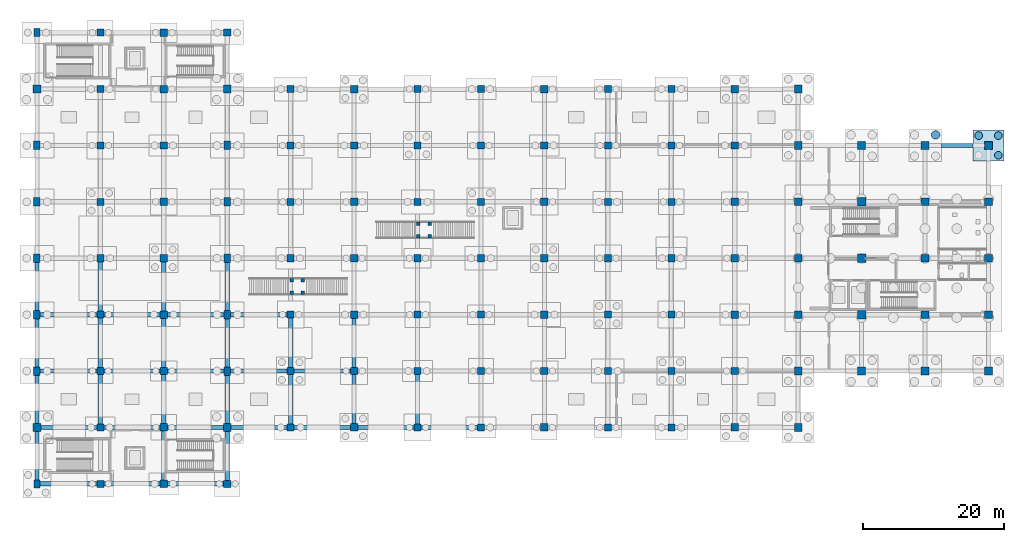
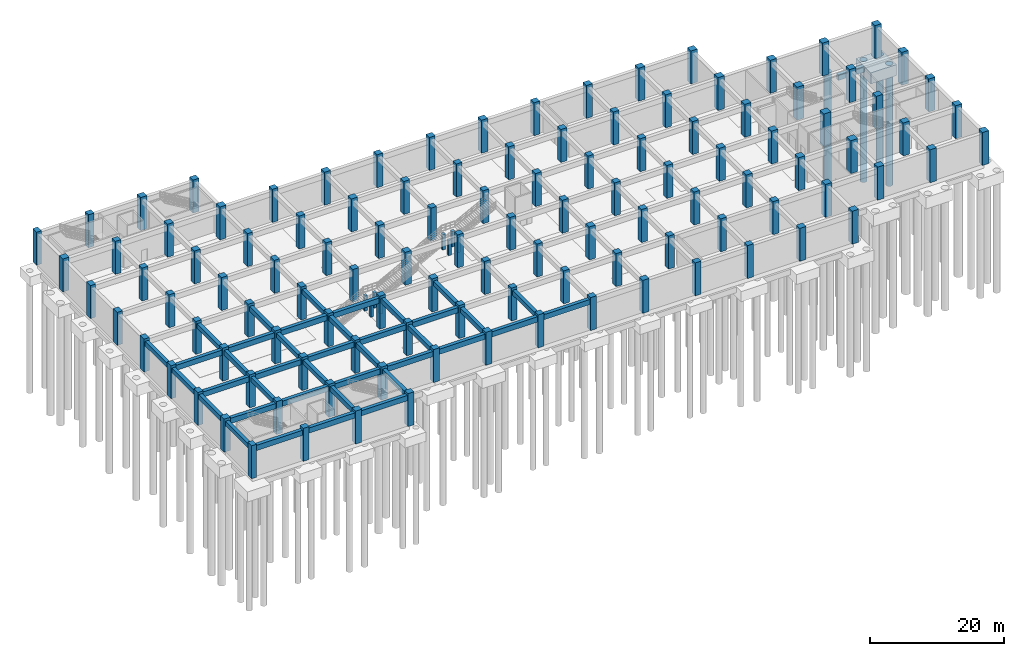
# One storey, part 6 of 18: 122 columns, 39 beams, 4 piles, 2 footings.
"""IFC4 building model written with IfcOpenShell, lengths in metres."""

from ifc_helpers import new_model, si_unit, derived_unit, direction, frame, origin, origin_2d, place, context, subcontext, project, spatial, rectangle, circle, extrude, material, material_profile, profile_set, type_object, element, save


model = new_model("IFC4")

# Units and contexts
model_context = context("Model", 3, precision=1e-05, world=origin(), true_north=direction((0.0, 1.0)))
body_context = subcontext(model_context, "Body", "Model", "MODEL_VIEW")
ifc_project = project(units=[si_unit("LENGTHUNIT", "METRE"), si_unit("AREAUNIT", "SQUARE_METRE"), si_unit("VOLUMEUNIT", "CUBIC_METRE"), si_unit("PLANEANGLEUNIT", "RADIAN"), si_unit("MASSUNIT", "GRAM", prefix="KILO"), derived_unit("THERMALTRANSMITTANCEUNIT", [(si_unit("MASSUNIT", "GRAM", prefix="KILO"), 1), (si_unit("TIMEUNIT", "SECOND"), -3), (si_unit("THERMODYNAMICTEMPERATUREUNIT", "KELVIN"), -1)])], contexts=[model_context])

# Site, building, storey
site_placement = place(None, origin())
site = spatial("IfcSite", under=ifc_project, at=site_placement, CompositionType="ELEMENT")
building_placement = place(site_placement, origin())
building = spatial("IfcBuilding", under=site, at=building_placement, Name="Zhenchuan Archway Interchange", CompositionType="ELEMENT")
storey_placement = place(building_placement, frame((0.0, 0.0, -12.0)))
storey = spatial("IfcBuildingStorey", under=building, at=storey_placement, Name="B2", CompositionType="ELEMENT", Elevation=-12.0)

# Footings
ifc_material_1 = material(Name="Concrete C40", Category="concrete")
ifc_material_profile_1 = material_profile(ifc_material_1, rectangle(XDim=0.60009765625, YDim=0.949951171875, at=origin_2d()), Name="RC 600x950")
ifc_profile_set_1 = profile_set([ifc_material_profile_1], Name="Concrete C40")
footing_type_1 = type_object("IfcFootingType", Name="FB_GROUND_2", PredefinedType="FOOTING_BEAM", material=ifc_profile_set_1)
footing_1_placement = place(storey_placement, frame((164.300048828125, 72.0, -1.47509765625), z_axis=(1.0, 0.0, 0.0), x_axis=(0.0, 1.0, 0.0)))
element("IfcFooting", 1, at=footing_1_placement, inside=storey, type_object=footing_type_1, Name="Ground tie beam K:19-20 (B2)", PredefinedType="FOOTING_BEAM", context=body_context, shape_type="SweptSolid", body=[
    extrude(rectangle(XDim=0.60009765625, YDim=0.949951171875, at=origin_2d()), origin(), (0.0, 0.0, 1.0), 4.5),
])
footing_type_2 = type_object("IfcFootingType", Name="PC_T_44x44", PredefinedType="PILE_CAP", material=ifc_material_1)
footing_2_placement = place(storey_placement, frame((171.0, 72.0, -3.0), z_axis=(0.0, 0.0, 1.0), x_axis=(1.0, 0.0, 0.0)))
element("IfcFooting", 2, at=footing_2_placement, inside=storey, type_object=footing_type_2, Name="Pile cap PC-02 at 20/K (B2)", PredefinedType="PILE_CAP", context=body_context, shape_type="SweptSolid", body=[
    extrude(rectangle(XDim=4.39990234375, YDim=4.39990234375, at=origin_2d()), origin(), (0.0, 0.0, 1.0), 2.0),
])

# Piles
ifc_material_2 = material(Name="Concrete C35", Category="concrete")
ifc_material_profile_2 = material_profile(ifc_material_2, circle(Radius=0.550048828125, at=origin_2d()), Name="BORED PILE 1100")
ifc_profile_set_2 = profile_set([ifc_material_profile_2], Name="Concrete C35")
pile_type_1 = type_object("IfcPileType", Name="PILE_D1100", PredefinedType="BORED", material=ifc_profile_set_2)
for number, where, z_axis, x_axis, name in (
    (3, (172.39990234375, 70.60009765625, -1.0), (0.0, 0.0, -1.0), (1.0, 0.0, 0.0), "Bored pile at 20/K #2 (B2)"),
    (4, (169.60009765625, 73.39990234375, -1.0), (0.0, 0.0, -1.0), (1.0, 0.0, 0.0), "Bored pile at 20/K #3 (B2)"),
    (5, (172.39990234375, 73.39990234375, -1.0), (0.0, 0.0, -1.0), (1.0, 0.0, 0.0), "Bored pile at 20/K #4 (B2)"),
):
    element("IfcPile", number, at=place(storey_placement, frame(where, z_axis=z_axis, x_axis=x_axis)), inside=storey, type_object=pile_type_1, Name=name, PredefinedType="BORED", context=body_context, shape_type="SweptSolid", body=[
        extrude(circle(Radius=0.550048828125, at=origin_2d()), origin(), (0.0, 0.0, 1.0), 22.0),
    ])
ifc_material_profile_3 = material_profile(ifc_material_2, circle(Radius=0.60009765625, at=origin_2d()), Name="BORED PILE 1200")
ifc_profile_set_3 = profile_set([ifc_material_profile_3], Name="Concrete C35")
pile_type_2 = type_object("IfcPileType", Name="PILE_D1200", PredefinedType="BORED", material=ifc_profile_set_3)
pile_placement = place(storey_placement, frame((163.5, 73.5, -1.0), z_axis=(0.0, 0.0, -1.0), x_axis=(1.0, 0.0, 0.0)))
element("IfcPile", 6, at=pile_placement, inside=storey, type_object=pile_type_2, Name="Bored pile at 19/K #4 (B2)", PredefinedType="BORED", context=body_context, shape_type="SweptSolid", body=[
    extrude(circle(Radius=0.60009765625, at=origin_2d()), origin(), (0.0, 0.0, 1.0), 22.0),
])

# Columns
ifc_material_3 = material(Name="Concrete C50", Category="concrete")
ifc_material_profile_4 = material_profile(ifc_material_3, rectangle(XDim=1.0, YDim=1.0, at=origin_2d()), Name="RC 1000x1000")
ifc_profile_set_4 = profile_set([ifc_material_profile_4], Name="Concrete C50")
column_type_1 = type_object("IfcColumnType", Name="COL_RC_1000", PredefinedType="COLUMN", material=ifc_profile_set_4)
for number, where, z_axis, x_axis, name in (
    (7, (45.0, 24.0, 0.0), (0.0, 0.0, 1.0), (1.0, 0.0, 0.0), "Column 6/D (B2)"),
    (8, (45.0, 32.0, 0.0), (0.0, 0.0, 1.0), (1.0, 0.0, 0.0), "Column 6/E (B2)"),
    (9, (45.0, 40.0, 0.0), (0.0, 0.0, 1.0), (1.0, 0.0, 0.0), "Column 6/F (B2)"),
    (10, (45.0, 48.0, 0.0), (0.0, 0.0, 1.0), (1.0, 0.0, 0.0), "Column 6/G (B2)"),
    (11, (45.0, 56.0, 0.0), (0.0, 0.0, 1.0), (1.0, 0.0, 0.0), "Column 6/H (B2)"),
    (12, (45.0, 64.0, 0.0), (0.0, 0.0, 1.0), (1.0, 0.0, 0.0), "Column 6/J (B2)"),
    (13, (45.0, 72.0, 0.0), (0.0, 0.0, 1.0), (1.0, 0.0, 0.0), "Column 6/K (B2)"),
    (14, (45.0, 80.0, 0.0), (0.0, 0.0, 1.0), (1.0, 0.0, 0.0), "Column 6/L (B2)"),
    (15, (45.0, 88.0, 0.0), (0.0, 0.0, 1.0), (1.0, 0.0, 0.0), "Column 6/M (B2)"),
    (16, (63.0, 24.0, 0.0), (0.0, 0.0, 1.0), (1.0, 0.0, 0.0), "Column 8/D (B2)"),
    (17, (63.0, 88.0, 0.0), (0.0, 0.0, 1.0), (1.0, 0.0, 0.0), "Column 8/M (B2)"),
    (18, (72.0, 32.0, 0.0), (0.0, 0.0, 1.0), (1.0, 0.0, 0.0), "Column 9/E (B2)"),
    (19, (72.0, 40.0, 0.0), (0.0, 0.0, 1.0), (1.0, 0.0, 0.0), "Column 9/F (B2)"),
    (20, (72.0, 48.0, 0.0), (0.0, 0.0, 1.0), (1.0, 0.0, 0.0), "Column 9/G (B2)"),
    (21, (72.0, 56.0, 0.0), (0.0, 0.0, 1.0), (1.0, 0.0, 0.0), "Column 9/H (B2)"),
    (22, (72.0, 64.0, 0.0), (0.0, 0.0, 1.0), (1.0, 0.0, 0.0), "Column 9/J (B2)"),
    (23, (72.0, 72.0, 0.0), (0.0, 0.0, 1.0), (1.0, 0.0, 0.0), "Column 9/K (B2)"),
    (24, (72.0, 80.0, 0.0), (0.0, 0.0, 1.0), (1.0, 0.0, 0.0), "Column 9/L (B2)"),
    (25, (90.0, 32.0, 0.0), (0.0, 0.0, 1.0), (1.0, 0.0, 0.0), "Column 11/E (B2)"),
    (26, (90.0, 40.0, 0.0), (0.0, 0.0, 1.0), (1.0, 0.0, 0.0), "Column 11/F (B2)"),
    (27, (90.0, 48.0, 0.0), (0.0, 0.0, 1.0), (1.0, 0.0, 0.0), "Column 11/G (B2)"),
    (28, (90.0, 56.0, 0.0), (0.0, 0.0, 1.0), (1.0, 0.0, 0.0), "Column 11/H (B2)"),
    (29, (90.0, 64.0, 0.0), (0.0, 0.0, 1.0), (1.0, 0.0, 0.0), "Column 11/J (B2)"),
    (30, (90.0, 72.0, 0.0), (0.0, 0.0, 1.0), (1.0, 0.0, 0.0), "Column 11/K (B2)"),
    (31, (90.0, 80.0, 0.0), (0.0, 0.0, 1.0), (1.0, 0.0, 0.0), "Column 11/L (B2)"),
    (32, (99.0, 32.0, 0.0), (0.0, 0.0, 1.0), (1.0, 0.0, 0.0), "Column 12/E (B2)"),
    (33, (99.0, 40.0, 0.0), (0.0, 0.0, 1.0), (1.0, 0.0, 0.0), "Column 12/F (B2)"),
    (34, (99.0, 48.0, 0.0), (0.0, 0.0, 1.0), (1.0, 0.0, 0.0), "Column 12/G (B2)"),
    (35, (99.0, 56.0, 0.0), (0.0, 0.0, 1.0), (1.0, 0.0, 0.0), "Column 12/H (B2)"),
    (36, (99.0, 64.0, 0.0), (0.0, 0.0, 1.0), (1.0, 0.0, 0.0), "Column 12/J (B2)"),
    (37, (99.0, 72.0, 0.0), (0.0, 0.0, 1.0), (1.0, 0.0, 0.0), "Column 12/K (B2)"),
    (38, (99.0, 80.0, 0.0), (0.0, 0.0, 1.0), (1.0, 0.0, 0.0), "Column 12/L (B2)"),
    (39, (117.0, 32.0, 0.0), (0.0, 0.0, 1.0), (1.0, 0.0, 0.0), "Column 14/E (B2)"),
    (40, (117.0, 40.0, 0.0), (0.0, 0.0, 1.0), (1.0, 0.0, 0.0), "Column 14/F (B2)"),
    (41, (117.0, 48.0, 0.0), (0.0, 0.0, 1.0), (1.0, 0.0, 0.0), "Column 14/G (B2)"),
    (42, (117.0, 56.0, 0.0), (0.0, 0.0, 1.0), (1.0, 0.0, 0.0), "Column 14/H (B2)"),
    (43, (117.0, 64.0, 0.0), (0.0, 0.0, 1.0), (1.0, 0.0, 0.0), "Column 14/J (B2)"),
    (44, (117.0, 72.0, 0.0), (0.0, 0.0, 1.0), (1.0, 0.0, 0.0), "Column 14/K (B2)"),
    (45, (117.0, 80.0, 0.0), (0.0, 0.0, 1.0), (1.0, 0.0, 0.0), "Column 14/L (B2)"),
    (46, (126.0, 32.0, 0.0), (0.0, 0.0, 1.0), (1.0, 0.0, 0.0), "Column 15/E (B2)"),
    (47, (126.0, 40.0, 0.0), (0.0, 0.0, 1.0), (1.0, 0.0, 0.0), "Column 15/F (B2)"),
    (48, (126.0, 48.0, 0.0), (0.0, 0.0, 1.0), (1.0, 0.0, 0.0), "Column 15/G (B2)"),
    (49, (126.0, 56.0, 0.0), (0.0, 0.0, 1.0), (1.0, 0.0, 0.0), "Column 15/H (B2)"),
    (50, (126.0, 64.0, 0.0), (0.0, 0.0, 1.0), (1.0, 0.0, 0.0), "Column 15/J (B2)"),
    (51, (126.0, 72.0, 0.0), (0.0, 0.0, 1.0), (1.0, 0.0, 0.0), "Column 15/K (B2)"),
    (52, (126.0, 80.0, 0.0), (0.0, 0.0, 1.0), (1.0, 0.0, 0.0), "Column 15/L (B2)"),
):
    element("IfcColumn", number, at=place(storey_placement, frame(where, z_axis=z_axis, x_axis=x_axis)), inside=storey, type_object=column_type_1, Name=name, PredefinedType="COLUMN", context=body_context, shape_type="SweptSolid", body=[
        extrude(rectangle(XDim=1.0, YDim=1.0, at=origin_2d()), origin(), (0.0, 0.0, 1.0), 6.0),
    ])
ifc_material_profile_5 = material_profile(ifc_material_3, rectangle(XDim=1.050048828125, YDim=1.050048828125, at=origin_2d()), Name="RC 1050x1050")
ifc_profile_set_5 = profile_set([ifc_material_profile_5], Name="Concrete C50")
column_type_2 = type_object("IfcColumnType", Name="COL_RC_1050", PredefinedType="COLUMN", material=ifc_profile_set_5)
for number, where, z_axis, x_axis, name in (
    (53, (54.0, 24.0, 0.0), (0.0, 0.0, 1.0), (1.0, 0.0, 0.0), "Column 7/D (B2)"),
    (54, (54.0, 32.0, 0.0), (0.0, 0.0, 1.0), (1.0, 0.0, 0.0), "Column 7/E (B2)"),
    (55, (54.0, 40.0, 0.0), (0.0, 0.0, 1.0), (1.0, 0.0, 0.0), "Column 7/F (B2)"),
    (56, (54.0, 48.0, 0.0), (0.0, 0.0, 1.0), (1.0, 0.0, 0.0), "Column 7/G (B2)"),
    (57, (54.0, 56.0, 0.0), (0.0, 0.0, 1.0), (1.0, 0.0, 0.0), "Column 7/H (B2)"),
    (58, (54.0, 64.0, 0.0), (0.0, 0.0, 1.0), (1.0, 0.0, 0.0), "Column 7/J (B2)"),
    (59, (54.0, 72.0, 0.0), (0.0, 0.0, 1.0), (1.0, 0.0, 0.0), "Column 7/K (B2)"),
    (60, (54.0, 80.0, 0.0), (0.0, 0.0, 1.0), (1.0, 0.0, 0.0), "Column 7/L (B2)"),
    (61, (54.0, 88.0, 0.0), (0.0, 0.0, 1.0), (1.0, 0.0, 0.0), "Column 7/M (B2)"),
    (62, (81.0, 32.0, 0.0), (0.0, 0.0, 1.0), (1.0, 0.0, 0.0), "Column 10/E (B2)"),
    (63, (81.0, 40.0, 0.0), (0.0, 0.0, 1.0), (1.0, 0.0, 0.0), "Column 10/F (B2)"),
    (64, (81.0, 48.0, 0.0), (0.0, 0.0, 1.0), (1.0, 0.0, 0.0), "Column 10/G (B2)"),
    (65, (81.0, 56.0, 0.0), (0.0, 0.0, 1.0), (1.0, 0.0, 0.0), "Column 10/H (B2)"),
    (66, (81.0, 64.0, 0.0), (0.0, 0.0, 1.0), (1.0, 0.0, 0.0), "Column 10/J (B2)"),
    (67, (81.0, 72.0, 0.0), (0.0, 0.0, 1.0), (1.0, 0.0, 0.0), "Column 10/K (B2)"),
    (68, (81.0, 80.0, 0.0), (0.0, 0.0, 1.0), (1.0, 0.0, 0.0), "Column 10/L (B2)"),
    (69, (108.0, 32.0, 0.0), (0.0, 0.0, 1.0), (1.0, 0.0, 0.0), "Column 13/E (B2)"),
    (70, (108.0, 40.0, 0.0), (0.0, 0.0, 1.0), (1.0, 0.0, 0.0), "Column 13/F (B2)"),
    (71, (108.0, 48.0, 0.0), (0.0, 0.0, 1.0), (1.0, 0.0, 0.0), "Column 13/G (B2)"),
    (72, (108.0, 56.0, 0.0), (0.0, 0.0, 1.0), (1.0, 0.0, 0.0), "Column 13/H (B2)"),
    (73, (108.0, 64.0, 0.0), (0.0, 0.0, 1.0), (1.0, 0.0, 0.0), "Column 13/J (B2)"),
    (74, (108.0, 72.0, 0.0), (0.0, 0.0, 1.0), (1.0, 0.0, 0.0), "Column 13/K (B2)"),
    (75, (108.0, 80.0, 0.0), (0.0, 0.0, 1.0), (1.0, 0.0, 0.0), "Column 13/L (B2)"),
    (76, (135.0, 32.0, 0.0), (0.0, 0.0, 1.0), (1.0, 0.0, 0.0), "Column 16/E (B2)"),
    (77, (135.0, 40.0, 0.0), (0.0, 0.0, 1.0), (1.0, 0.0, 0.0), "Column 16/F (B2)"),
    (78, (135.0, 48.0, 0.0), (0.0, 0.0, 1.0), (1.0, 0.0, 0.0), "Column 16/G (B2)"),
    (79, (135.0, 56.0, 0.0), (0.0, 0.0, 1.0), (1.0, 0.0, 0.0), "Column 16/H (B2)"),
    (80, (135.0, 64.0, 0.0), (0.0, 0.0, 1.0), (1.0, 0.0, 0.0), "Column 16/J (B2)"),
    (81, (135.0, 72.0, 0.0), (0.0, 0.0, 1.0), (1.0, 0.0, 0.0), "Column 16/K (B2)"),
    (82, (135.0, 80.0, 0.0), (0.0, 0.0, 1.0), (1.0, 0.0, 0.0), "Column 16/L (B2)"),
):
    element("IfcColumn", number, at=place(storey_placement, frame(where, z_axis=z_axis, x_axis=x_axis)), inside=storey, type_object=column_type_2, Name=name, PredefinedType="COLUMN", context=body_context, shape_type="SweptSolid", body=[
        extrude(rectangle(XDim=1.050048828125, YDim=1.050048828125, at=origin_2d()), origin(), (0.0, 0.0, 1.0), 6.0),
    ])
ifc_material_profile_6 = material_profile(ifc_material_3, rectangle(XDim=1.10009765625, YDim=1.10009765625, at=origin_2d()), Name="RC 1100x1100")
ifc_profile_set_6 = profile_set([ifc_material_profile_6], Name="Concrete C50")
column_type_3 = type_object("IfcColumnType", Name="COL_RC_1100", PredefinedType="COLUMN", material=ifc_profile_set_6)
for number, where, z_axis, x_axis, name in (
    (83, (36.0, 32.0, 0.0), (0.0, 0.0, 1.0), (1.0, 0.0, 0.0), "Column 5/E (B2)"),
    (84, (36.0, 80.0, 0.0), (0.0, 0.0, 1.0), (1.0, 0.0, 0.0), "Column 5/L (B2)"),
    (85, (63.0, 32.0, 0.0), (0.0, 0.0, 1.0), (1.0, 0.0, 0.0), "Column 8/E (B2)"),
    (86, (63.0, 80.0, 0.0), (0.0, 0.0, 1.0), (1.0, 0.0, 0.0), "Column 8/L (B2)"),
    (87, (144.0, 32.0, 0.0), (0.0, 0.0, 1.0), (1.0, 0.0, 0.0), "Column 17/E (B2)"),
    (88, (144.0, 40.0, 0.0), (0.0, 0.0, 1.0), (1.0, 0.0, 0.0), "Column 17/F (B2)"),
    (89, (144.0, 48.0, 0.0), (0.0, 0.0, 1.0), (1.0, 0.0, 0.0), "Column 17/G (B2)"),
    (90, (144.0, 56.0, 0.0), (0.0, 0.0, 1.0), (1.0, 0.0, 0.0), "Column 17/H (B2)"),
    (91, (144.0, 64.0, 0.0), (0.0, 0.0, 1.0), (1.0, 0.0, 0.0), "Column 17/J (B2)"),
    (92, (144.0, 72.0, 0.0), (0.0, 0.0, 1.0), (1.0, 0.0, 0.0), "Column 17/K (B2)"),
    (93, (144.0, 80.0, 0.0), (0.0, 0.0, 1.0), (1.0, 0.0, 0.0), "Column 17/L (B2)"),
    (94, (153.0, 40.0, 0.0), (0.0, 0.0, 1.0), (1.0, 0.0, 0.0), "Column 18/F (B2)"),
    (95, (153.0, 72.0, 0.0), (0.0, 0.0, 1.0), (1.0, 0.0, 0.0), "Column 18/K (B2)"),
    (96, (162.0, 40.0, 0.0), (0.0, 0.0, 1.0), (1.0, 0.0, 0.0), "Column 19/F (B2)"),
    (97, (162.0, 48.0, 0.0), (0.0, 0.0, 1.0), (1.0, 0.0, 0.0), "Column 19/G (B2)"),
    (98, (162.0, 56.0, 0.0), (0.0, 0.0, 1.0), (1.0, 0.0, 0.0), "Column 19/H (B2)"),
    (99, (162.0, 64.0, 0.0), (0.0, 0.0, 1.0), (1.0, 0.0, 0.0), "Column 19/J (B2)"),
    (100, (162.0, 72.0, 0.0), (0.0, 0.0, 1.0), (1.0, 0.0, 0.0), "Column 19/K (B2)"),
    (101, (171.0, 40.0, 0.0), (0.0, 0.0, 1.0), (1.0, 0.0, 0.0), "Column 20/F (B2)"),
    (102, (171.0, 48.0, 0.0), (0.0, 0.0, 1.0), (1.0, 0.0, 0.0), "Column 20/G (B2)"),
    (103, (171.0, 56.0, 0.0), (0.0, 0.0, 1.0), (1.0, 0.0, 0.0), "Column 20/H (B2)"),
    (104, (171.0, 64.0, 0.0), (0.0, 0.0, 1.0), (1.0, 0.0, 0.0), "Column 20/J (B2)"),
    (105, (171.0, 72.0, 0.0), (0.0, 0.0, 1.0), (1.0, 0.0, 0.0), "Column 20/K (B2)"),
):
    element("IfcColumn", number, at=place(storey_placement, frame(where, z_axis=z_axis, x_axis=x_axis)), inside=storey, type_object=column_type_3, Name=name, PredefinedType="COLUMN", context=body_context, shape_type="SweptSolid", body=[
        extrude(rectangle(XDim=1.10009765625, YDim=1.10009765625, at=origin_2d()), origin(), (0.0, 0.0, 1.0), 6.0),
    ])
ifc_material_profile_7 = material_profile(ifc_material_3, rectangle(XDim=1.199951171875, YDim=1.199951171875, at=origin_2d()), Name="RC 1200x1200")
ifc_profile_set_7 = profile_set([ifc_material_profile_7], Name="Concrete C50")
column_type_4 = type_object("IfcColumnType", Name="COL_RC_1200", PredefinedType="COLUMN", material=ifc_profile_set_7)
for number, where, z_axis, x_axis, name in (
    (106, (153.0, 48.0, 0.0), (0.0, 0.0, 1.0), (1.0, 0.0, 0.0), "Column 18/G (B2)"),
    (107, (153.0, 56.0, 0.0), (0.0, 0.0, 1.0), (1.0, 0.0, 0.0), "Column 18/H (B2)"),
    (108, (153.0, 64.0, 0.0), (0.0, 0.0, 1.0), (1.0, 0.0, 0.0), "Column 18/J (B2)"),
):
    element("IfcColumn", number, at=place(storey_placement, frame(where, z_axis=z_axis, x_axis=x_axis)), inside=storey, type_object=column_type_4, Name=name, PredefinedType="COLUMN", context=body_context, shape_type="SweptSolid", body=[
        extrude(rectangle(XDim=1.199951171875, YDim=1.199951171875, at=origin_2d()), origin(), (0.0, 0.0, 1.0), 6.0),
    ])
ifc_material_profile_8 = material_profile(ifc_material_1, rectangle(XDim=0.5, YDim=0.5, at=origin_2d()), Name="RC 500x500")
ifc_profile_set_8 = profile_set([ifc_material_profile_8], Name="Concrete C40")
column_type_5 = type_object("IfcColumnType", Name="COL_RC_500_LND", PredefinedType="COLUMN", material=ifc_profile_set_8)
for number, where, z_axis, x_axis, name in (
    (109, (72.1298828125, 51.10009765625, 0.0), (0.0, 0.0, 1.0), (1.0, 0.0, 0.0), "Stair ST-P1 landing support column 1"),
    (110, (73.72998046875, 51.10009765625, 0.0), (0.0, 0.0, 1.0), (1.0, 0.0, 0.0), "Stair ST-P1 landing support column 2"),
    (111, (72.1298828125, 52.89990234375, 0.0), (0.0, 0.0, 1.0), (1.0, 0.0, 0.0), "Stair ST-P1 landing support column 3"),
    (112, (73.72998046875, 52.89990234375, 0.0), (0.0, 0.0, 1.0), (1.0, 0.0, 0.0), "Stair ST-P1 landing support column 4"),
    (113, (90.1298828125, 59.125, 0.0), (0.0, 0.0, 1.0), (1.0, 0.0, 0.0), "Stair ST-P2 landing support column 1"),
    (114, (91.72998046875, 59.125, 0.0), (0.0, 0.0, 1.0), (1.0, 0.0, 0.0), "Stair ST-P2 landing support column 2"),
    (115, (90.1298828125, 60.875, 0.0), (0.0, 0.0, 1.0), (1.0, 0.0, 0.0), "Stair ST-P2 landing support column 3"),
    (116, (91.72998046875, 60.875, 0.0), (0.0, 0.0, 1.0), (1.0, 0.0, 0.0), "Stair ST-P2 landing support column 4"),
):
    element("IfcColumn", number, at=place(storey_placement, frame(where, z_axis=z_axis, x_axis=x_axis)), inside=storey, type_object=column_type_5, Name=name, PredefinedType="COLUMN", context=body_context, shape_type="SweptSolid", body=[
        extrude(rectangle(XDim=0.5, YDim=0.5, at=origin_2d()), origin(), (0.0, 0.0, 1.0), 2.780029296875),
    ])
ifc_material_profile_9 = material_profile(ifc_material_3, rectangle(XDim=0.85009765625, YDim=1.14990234375, at=origin_2d()), Name="RC 850x1150")
ifc_profile_set_9 = profile_set([ifc_material_profile_9], Name="Concrete C50")
column_type_6 = type_object("IfcColumnType", Name="COL_RC_850x1150", PredefinedType="COLUMN", material=ifc_profile_set_9)
for number, where, z_axis, x_axis, name in (
    (117, (36.0, 24.0, 0.0), (0.0, 0.0, 1.0), (1.0, 0.0, 0.0), "Column 5/D (B2)"),
    (118, (36.0, 88.0, 0.0), (0.0, 0.0, 1.0), (1.0, 0.0, 0.0), "Column 5/M (B2)"),
):
    element("IfcColumn", number, at=place(storey_placement, frame(where, z_axis=z_axis, x_axis=x_axis)), inside=storey, type_object=column_type_6, Name=name, PredefinedType="COLUMN", context=body_context, shape_type="SweptSolid", body=[
        extrude(rectangle(XDim=0.85009765625, YDim=1.14990234375, at=origin_2d()), origin(), (0.0, 0.0, 1.0), 6.0),
    ])
ifc_material_profile_10 = material_profile(ifc_material_3, rectangle(XDim=0.89990234375, YDim=1.199951171875, at=origin_2d()), Name="RC 900x1200")
ifc_profile_set_10 = profile_set([ifc_material_profile_10], Name="Concrete C50")
column_type_7 = type_object("IfcColumnType", Name="COL_RC_900x1200", PredefinedType="COLUMN", material=ifc_profile_set_10)
for number, where, z_axis, x_axis, name in (
    (119, (36.0, 40.0, 0.0), (0.0, 0.0, 1.0), (1.0, 0.0, 0.0), "Column 5/F (B2)"),
    (120, (36.0, 48.0, 0.0), (0.0, 0.0, 1.0), (1.0, 0.0, 0.0), "Column 5/G (B2)"),
    (121, (36.0, 56.0, 0.0), (0.0, 0.0, 1.0), (1.0, 0.0, 0.0), "Column 5/H (B2)"),
    (122, (36.0, 64.0, 0.0), (0.0, 0.0, 1.0), (1.0, 0.0, 0.0), "Column 5/J (B2)"),
    (123, (36.0, 72.0, 0.0), (0.0, 0.0, 1.0), (1.0, 0.0, 0.0), "Column 5/K (B2)"),
    (124, (63.0, 40.0, 0.0), (0.0, 0.0, 1.0), (1.0, 0.0, 0.0), "Column 8/F (B2)"),
    (125, (63.0, 48.0, 0.0), (0.0, 0.0, 1.0), (1.0, 0.0, 0.0), "Column 8/G (B2)"),
    (126, (63.0, 56.0, 0.0), (0.0, 0.0, 1.0), (1.0, 0.0, 0.0), "Column 8/H (B2)"),
    (127, (63.0, 64.0, 0.0), (0.0, 0.0, 1.0), (1.0, 0.0, 0.0), "Column 8/J (B2)"),
    (128, (63.0, 72.0, 0.0), (0.0, 0.0, 1.0), (1.0, 0.0, 0.0), "Column 8/K (B2)"),
):
    element("IfcColumn", number, at=place(storey_placement, frame(where, z_axis=z_axis, x_axis=x_axis)), inside=storey, type_object=column_type_7, Name=name, PredefinedType="COLUMN", context=body_context, shape_type="SweptSolid", body=[
        extrude(rectangle(XDim=0.89990234375, YDim=1.199951171875, at=origin_2d()), origin(), (0.0, 0.0, 1.0), 6.0),
    ])

# Beams
ifc_material_profile_11 = material_profile(ifc_material_1, rectangle(XDim=0.60009765625, YDim=0.85009765625, at=origin_2d()), Name="RC 600x850")
ifc_profile_set_11 = profile_set([ifc_material_profile_11], Name="Concrete C40")
beam_type_1 = type_object("IfcBeamType", Name="BM_RC_600x850", PredefinedType="BEAM", material=ifc_profile_set_11)
beam_1_placement = place(storey_placement, frame((36.0, 24.574951171875, 5.135009765625), z_axis=(0.0, 1.0, 0.0), x_axis=(-1.0, 0.0, 0.0)))
element("IfcBeam", 129, at=beam_1_placement, inside=storey, type_object=beam_type_1, Name="Beam 5:D-E (B2)", PredefinedType="BEAM", context=body_context, shape_type="SweptSolid", body=[
    extrude(rectangle(XDim=0.60009765625, YDim=0.85009765625, at=origin_2d()), origin(), (0.0, 0.0, 1.0), 6.875),
])
beam_2_placement = place(storey_placement, frame((36.0, 32.550048828125, 5.135009765625), z_axis=(0.0, 1.0, 0.0), x_axis=(-1.0, 0.0, 0.0)))
element("IfcBeam", 130, at=beam_2_placement, inside=storey, type_object=beam_type_1, Name="Beam 5:E-F (B2)", PredefinedType="BEAM", context=body_context, shape_type="SweptSolid", body=[
    extrude(rectangle(XDim=0.60009765625, YDim=0.85009765625, at=origin_2d()), origin(), (0.0, 0.0, 1.0), 6.849853515625),
])
for number, where, z_axis, x_axis, name in (
    (131, (36.0, 40.60009765625, 5.135009765625), (0.0, 1.0, 0.0), (-1.0, 0.0, 0.0), "Beam 5:F-G (B2)"),
    (132, (36.0, 48.60009765625, 5.135009765625), (0.0, 1.0, 0.0), (-1.0, 0.0, 0.0), "Beam 5:G-H (B2)"),
):
    element("IfcBeam", number, at=place(storey_placement, frame(where, z_axis=z_axis, x_axis=x_axis)), inside=storey, type_object=beam_type_1, Name=name, PredefinedType="BEAM", context=body_context, shape_type="SweptSolid", body=[
        extrude(rectangle(XDim=0.60009765625, YDim=0.85009765625, at=origin_2d()), origin(), (0.0, 0.0, 1.0), 6.7998046875),
    ])
for number, where, z_axis, x_axis, name in (
    (133, (45.0, 32.5, 5.135009765625), (0.0, 1.0, 0.0), (-1.0, 0.0, 0.0), "Beam 6:E-F (B2)"),
    (134, (45.0, 40.5, 5.135009765625), (0.0, 1.0, 0.0), (-1.0, 0.0, 0.0), "Beam 6:F-G (B2)"),
    (135, (45.0, 48.5, 5.135009765625), (0.0, 1.0, 0.0), (-1.0, 0.0, 0.0), "Beam 6:G-H (B2)"),
):
    element("IfcBeam", number, at=place(storey_placement, frame(where, z_axis=z_axis, x_axis=x_axis)), inside=storey, type_object=beam_type_1, Name=name, PredefinedType="BEAM", context=body_context, shape_type="SweptSolid", body=[
        extrude(rectangle(XDim=0.60009765625, YDim=0.85009765625, at=origin_2d()), origin(), (0.0, 0.0, 1.0), 7.0),
    ])
for number, where, z_axis, x_axis, name in (
    (136, (54.0, 24.52490234375, 5.135009765625), (0.0, 1.0, 0.0), (-1.0, 0.0, 0.0), "Beam 7:D-E (B2)"),
    (137, (54.0, 32.52490234375, 5.135009765625), (0.0, 1.0, 0.0), (-1.0, 0.0, 0.0), "Beam 7:E-F (B2)"),
    (138, (54.0, 40.52490234375, 5.135009765625), (0.0, 1.0, 0.0), (-1.0, 0.0, 0.0), "Beam 7:F-G (B2)"),
    (139, (54.0, 48.52490234375, 5.135009765625), (0.0, 1.0, 0.0), (-1.0, 0.0, 0.0), "Beam 7:G-H (B2)"),
):
    element("IfcBeam", number, at=place(storey_placement, frame(where, z_axis=z_axis, x_axis=x_axis)), inside=storey, type_object=beam_type_1, Name=name, PredefinedType="BEAM", context=body_context, shape_type="SweptSolid", body=[
        extrude(rectangle(XDim=0.60009765625, YDim=0.85009765625, at=origin_2d()), origin(), (0.0, 0.0, 1.0), 6.9501953125),
    ])
beam_3_placement = place(storey_placement, frame((63.0, 24.5, 5.135009765625), z_axis=(0.0, 1.0, 0.0), x_axis=(-1.0, 0.0, 0.0)))
element("IfcBeam", 140, at=beam_3_placement, inside=storey, type_object=beam_type_1, Name="Beam 8:D-E (B2)", PredefinedType="BEAM", context=body_context, shape_type="SweptSolid", body=[
    extrude(rectangle(XDim=0.60009765625, YDim=0.85009765625, at=origin_2d()), origin(), (0.0, 0.0, 1.0), 6.949951171875),
])
beam_4_placement = place(storey_placement, frame((63.0, 32.550048828125, 5.135009765625), z_axis=(0.0, 1.0, 0.0), x_axis=(-1.0, 0.0, 0.0)))
element("IfcBeam", 141, at=beam_4_placement, inside=storey, type_object=beam_type_1, Name="Beam 8:E-F (B2)", PredefinedType="BEAM", context=body_context, shape_type="SweptSolid", body=[
    extrude(rectangle(XDim=0.60009765625, YDim=0.85009765625, at=origin_2d()), origin(), (0.0, 0.0, 1.0), 6.849853515625),
])
for number, where, z_axis, x_axis, name in (
    (142, (63.0, 40.60009765625, 5.135009765625), (0.0, 1.0, 0.0), (-1.0, 0.0, 0.0), "Beam 8:F-G (B2)"),
    (143, (63.0, 48.60009765625, 5.135009765625), (0.0, 1.0, 0.0), (-1.0, 0.0, 0.0), "Beam 8:G-H (B2)"),
):
    element("IfcBeam", number, at=place(storey_placement, frame(where, z_axis=z_axis, x_axis=x_axis)), inside=storey, type_object=beam_type_1, Name=name, PredefinedType="BEAM", context=body_context, shape_type="SweptSolid", body=[
        extrude(rectangle(XDim=0.60009765625, YDim=0.85009765625, at=origin_2d()), origin(), (0.0, 0.0, 1.0), 6.7998046875),
    ])
for number, where, z_axis, x_axis, name in (
    (144, (72.0, 32.5, 5.135009765625), (0.0, 1.0, 0.0), (-1.0, 0.0, 0.0), "Beam 9:E-F (B2)"),
    (145, (72.0, 40.5, 5.135009765625), (0.0, 1.0, 0.0), (-1.0, 0.0, 0.0), "Beam 9:F-G (B2)"),
):
    element("IfcBeam", number, at=place(storey_placement, frame(where, z_axis=z_axis, x_axis=x_axis)), inside=storey, type_object=beam_type_1, Name=name, PredefinedType="BEAM", context=body_context, shape_type="SweptSolid", body=[
        extrude(rectangle(XDim=0.60009765625, YDim=0.85009765625, at=origin_2d()), origin(), (0.0, 0.0, 1.0), 7.0),
    ])
for number, where, z_axis, x_axis, name in (
    (146, (81.0, 32.52490234375, 5.135009765625), (0.0, 1.0, 0.0), (-1.0, 0.0, 0.0), "Beam 10:E-F (B2)"),
    (147, (81.0, 40.52490234375, 5.135009765625), (0.0, 1.0, 0.0), (-1.0, 0.0, 0.0), "Beam 10:F-G (B2)"),
):
    element("IfcBeam", number, at=place(storey_placement, frame(where, z_axis=z_axis, x_axis=x_axis)), inside=storey, type_object=beam_type_1, Name=name, PredefinedType="BEAM", context=body_context, shape_type="SweptSolid", body=[
        extrude(rectangle(XDim=0.60009765625, YDim=0.85009765625, at=origin_2d()), origin(), (0.0, 0.0, 1.0), 6.9501953125),
    ])
beam_5_placement = place(storey_placement, frame((90.0, 32.5, 5.135009765625), z_axis=(0.0, 1.0, 0.0), x_axis=(-1.0, 0.0, 0.0)))
element("IfcBeam", 148, at=beam_5_placement, inside=storey, type_object=beam_type_1, Name="Beam 11:E-F (B2)", PredefinedType="BEAM", context=body_context, shape_type="SweptSolid", body=[
    extrude(rectangle(XDim=0.60009765625, YDim=0.85009765625, at=origin_2d()), origin(), (0.0, 0.0, 1.0), 7.0),
])
ifc_material_profile_12 = material_profile(ifc_material_1, rectangle(XDim=0.60009765625, YDim=0.949951171875, at=origin_2d()), Name="RC 600x950")
ifc_profile_set_12 = profile_set([ifc_material_profile_12], Name="Concrete C40")
beam_type_2 = type_object("IfcBeamType", Name="BM_RC_600x950", PredefinedType="BEAM", material=ifc_profile_set_12)
beam_6_placement = place(storey_placement, frame((36.425048828125, 24.0, 5.0849609375), z_axis=(1.0, 0.0, 0.0), x_axis=(0.0, 1.0, 0.0)))
element("IfcBeam", 149, at=beam_6_placement, inside=storey, type_object=beam_type_2, Name="Beam D:5-6 (B2)", PredefinedType="BEAM", context=body_context, shape_type="SweptSolid", body=[
    extrude(rectangle(XDim=0.60009765625, YDim=0.949951171875, at=origin_2d()), origin(), (0.0, 0.0, 1.0), 8.074951171875),
])
for number, where, z_axis, x_axis, name in (
    (150, (45.5, 24.0, 5.0849609375), (1.0, 0.0, 0.0), (0.0, 1.0, 0.0), "Beam D:6-7 (B2)"),
    (151, (54.52490234375, 24.0, 5.0849609375), (1.0, 0.0, 0.0), (0.0, 1.0, 0.0), "Beam D:7-8 (B2)"),
):
    element("IfcBeam", number, at=place(storey_placement, frame(where, z_axis=z_axis, x_axis=x_axis)), inside=storey, type_object=beam_type_2, Name=name, PredefinedType="BEAM", context=body_context, shape_type="SweptSolid", body=[
        extrude(rectangle(XDim=0.60009765625, YDim=0.949951171875, at=origin_2d()), origin(), (0.0, 0.0, 1.0), 7.97509765625),
    ])
beam_7_placement = place(storey_placement, frame((36.550048828125, 32.0, 5.0849609375), z_axis=(1.0, 0.0, 0.0), x_axis=(0.0, 1.0, 0.0)))
element("IfcBeam", 152, at=beam_7_placement, inside=storey, type_object=beam_type_2, Name="Beam E:5-6 (B2)", PredefinedType="BEAM", context=body_context, shape_type="SweptSolid", body=[
    extrude(rectangle(XDim=0.60009765625, YDim=0.949951171875, at=origin_2d()), origin(), (0.0, 0.0, 1.0), 7.949951171875),
])
beam_8_placement = place(storey_placement, frame((45.5, 32.0, 5.0849609375), z_axis=(1.0, 0.0, 0.0), x_axis=(0.0, 1.0, 0.0)))
element("IfcBeam", 153, at=beam_8_placement, inside=storey, type_object=beam_type_2, Name="Beam E:6-7 (B2)", PredefinedType="BEAM", context=body_context, shape_type="SweptSolid", body=[
    extrude(rectangle(XDim=0.60009765625, YDim=0.949951171875, at=origin_2d()), origin(), (0.0, 0.0, 1.0), 7.97509765625),
])
beam_9_placement = place(storey_placement, frame((54.52490234375, 32.0, 5.0849609375), z_axis=(1.0, 0.0, 0.0), x_axis=(0.0, 1.0, 0.0)))
element("IfcBeam", 154, at=beam_9_placement, inside=storey, type_object=beam_type_2, Name="Beam E:7-8 (B2)", PredefinedType="BEAM", context=body_context, shape_type="SweptSolid", body=[
    extrude(rectangle(XDim=0.60009765625, YDim=0.949951171875, at=origin_2d()), origin(), (0.0, 0.0, 1.0), 7.925048828125),
])
beam_10_placement = place(storey_placement, frame((63.550048828125, 32.0, 5.0849609375), z_axis=(1.0, 0.0, 0.0), x_axis=(0.0, 1.0, 0.0)))
element("IfcBeam", 155, at=beam_10_placement, inside=storey, type_object=beam_type_2, Name="Beam E:8-9 (B2)", PredefinedType="BEAM", context=body_context, shape_type="SweptSolid", body=[
    extrude(rectangle(XDim=0.60009765625, YDim=0.949951171875, at=origin_2d()), origin(), (0.0, 0.0, 1.0), 7.949951171875),
])
for number, where, z_axis, x_axis, name in (
    (156, (72.5, 32.0, 5.0849609375), (1.0, 0.0, 0.0), (0.0, 1.0, 0.0), "Beam E:9-10 (B2)"),
    (157, (81.52490234375, 32.0, 5.0849609375), (1.0, 0.0, 0.0), (0.0, 1.0, 0.0), "Beam E:10-11 (B2)"),
):
    element("IfcBeam", number, at=place(storey_placement, frame(where, z_axis=z_axis, x_axis=x_axis)), inside=storey, type_object=beam_type_2, Name=name, PredefinedType="BEAM", context=body_context, shape_type="SweptSolid", body=[
        extrude(rectangle(XDim=0.60009765625, YDim=0.949951171875, at=origin_2d()), origin(), (0.0, 0.0, 1.0), 7.97509765625),
    ])
beam_11_placement = place(storey_placement, frame((90.5, 32.0, 5.0849609375), z_axis=(1.0, 0.0, 0.0), x_axis=(0.0, 1.0, 0.0)))
element("IfcBeam", 158, at=beam_11_placement, inside=storey, type_object=beam_type_2, Name="Beam E:11-12 (B2)", PredefinedType="BEAM", context=body_context, shape_type="SweptSolid", body=[
    extrude(rectangle(XDim=0.60009765625, YDim=0.949951171875, at=origin_2d()), origin(), (0.0, 0.0, 1.0), 8.0),
])
beam_12_placement = place(storey_placement, frame((36.449951171875, 40.0, 5.0849609375), z_axis=(1.0, 0.0, 0.0), x_axis=(0.0, 1.0, 0.0)))
element("IfcBeam", 159, at=beam_12_placement, inside=storey, type_object=beam_type_2, Name="Beam F:5-6 (B2)", PredefinedType="BEAM", context=body_context, shape_type="SweptSolid", body=[
    extrude(rectangle(XDim=0.60009765625, YDim=0.949951171875, at=origin_2d()), origin(), (0.0, 0.0, 1.0), 8.050048828125),
])
beam_13_placement = place(storey_placement, frame((45.5, 40.0, 5.0849609375), z_axis=(1.0, 0.0, 0.0), x_axis=(0.0, 1.0, 0.0)))
element("IfcBeam", 160, at=beam_13_placement, inside=storey, type_object=beam_type_2, Name="Beam F:6-7 (B2)", PredefinedType="BEAM", context=body_context, shape_type="SweptSolid", body=[
    extrude(rectangle(XDim=0.60009765625, YDim=0.949951171875, at=origin_2d()), origin(), (0.0, 0.0, 1.0), 7.97509765625),
])
beam_14_placement = place(storey_placement, frame((54.52490234375, 40.0, 5.0849609375), z_axis=(1.0, 0.0, 0.0), x_axis=(0.0, 1.0, 0.0)))
element("IfcBeam", 161, at=beam_14_placement, inside=storey, type_object=beam_type_2, Name="Beam F:7-8 (B2)", PredefinedType="BEAM", context=body_context, shape_type="SweptSolid", body=[
    extrude(rectangle(XDim=0.60009765625, YDim=0.949951171875, at=origin_2d()), origin(), (0.0, 0.0, 1.0), 8.025146484375),
])
beam_15_placement = place(storey_placement, frame((63.449951171875, 40.0, 5.0849609375), z_axis=(1.0, 0.0, 0.0), x_axis=(0.0, 1.0, 0.0)))
element("IfcBeam", 162, at=beam_15_placement, inside=storey, type_object=beam_type_2, Name="Beam F:8-9 (B2)", PredefinedType="BEAM", context=body_context, shape_type="SweptSolid", body=[
    extrude(rectangle(XDim=0.60009765625, YDim=0.949951171875, at=origin_2d()), origin(), (0.0, 0.0, 1.0), 8.050048828125),
])
beam_16_placement = place(storey_placement, frame((72.5, 40.0, 5.0849609375), z_axis=(1.0, 0.0, 0.0), x_axis=(0.0, 1.0, 0.0)))
element("IfcBeam", 163, at=beam_16_placement, inside=storey, type_object=beam_type_2, Name="Beam F:9-10 (B2)", PredefinedType="BEAM", context=body_context, shape_type="SweptSolid", body=[
    extrude(rectangle(XDim=0.60009765625, YDim=0.949951171875, at=origin_2d()), origin(), (0.0, 0.0, 1.0), 7.97509765625),
])
beam_17_placement = place(storey_placement, frame((36.449951171875, 48.0, 5.0849609375), z_axis=(1.0, 0.0, 0.0), x_axis=(0.0, 1.0, 0.0)))
element("IfcBeam", 164, at=beam_17_placement, inside=storey, type_object=beam_type_2, Name="Beam G:5-6 (B2)", PredefinedType="BEAM", context=body_context, shape_type="SweptSolid", body=[
    extrude(rectangle(XDim=0.60009765625, YDim=0.949951171875, at=origin_2d()), origin(), (0.0, 0.0, 1.0), 8.050048828125),
])
beam_18_placement = place(storey_placement, frame((45.5, 48.0, 5.0849609375), z_axis=(1.0, 0.0, 0.0), x_axis=(0.0, 1.0, 0.0)))
element("IfcBeam", 165, at=beam_18_placement, inside=storey, type_object=beam_type_2, Name="Beam G:6-7 (B2)", PredefinedType="BEAM", context=body_context, shape_type="SweptSolid", body=[
    extrude(rectangle(XDim=0.60009765625, YDim=0.949951171875, at=origin_2d()), origin(), (0.0, 0.0, 1.0), 7.97509765625),
])
beam_19_placement = place(storey_placement, frame((54.52490234375, 48.0, 5.0849609375), z_axis=(1.0, 0.0, 0.0), x_axis=(0.0, 1.0, 0.0)))
element("IfcBeam", 166, at=beam_19_placement, inside=storey, type_object=beam_type_2, Name="Beam G:7-8 (B2)", PredefinedType="BEAM", context=body_context, shape_type="SweptSolid", body=[
    extrude(rectangle(XDim=0.60009765625, YDim=0.949951171875, at=origin_2d()), origin(), (0.0, 0.0, 1.0), 8.025146484375),
])
beam_20_placement = place(storey_placement, frame((63.449951171875, 48.0, 5.0849609375), z_axis=(1.0, 0.0, 0.0), x_axis=(0.0, 1.0, 0.0)))
element("IfcBeam", 167, at=beam_20_placement, inside=storey, type_object=beam_type_2, Name="Beam G:8-9 (B2)", PredefinedType="BEAM", context=body_context, shape_type="SweptSolid", body=[
    extrude(rectangle(XDim=0.60009765625, YDim=0.949951171875, at=origin_2d()), origin(), (0.0, 0.0, 1.0), 8.050048828125),
])

save(model, "model.ifc")
